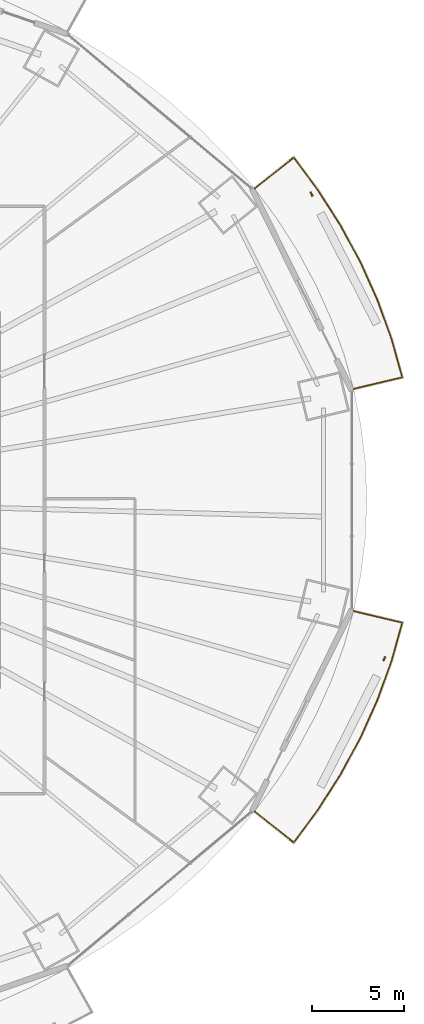
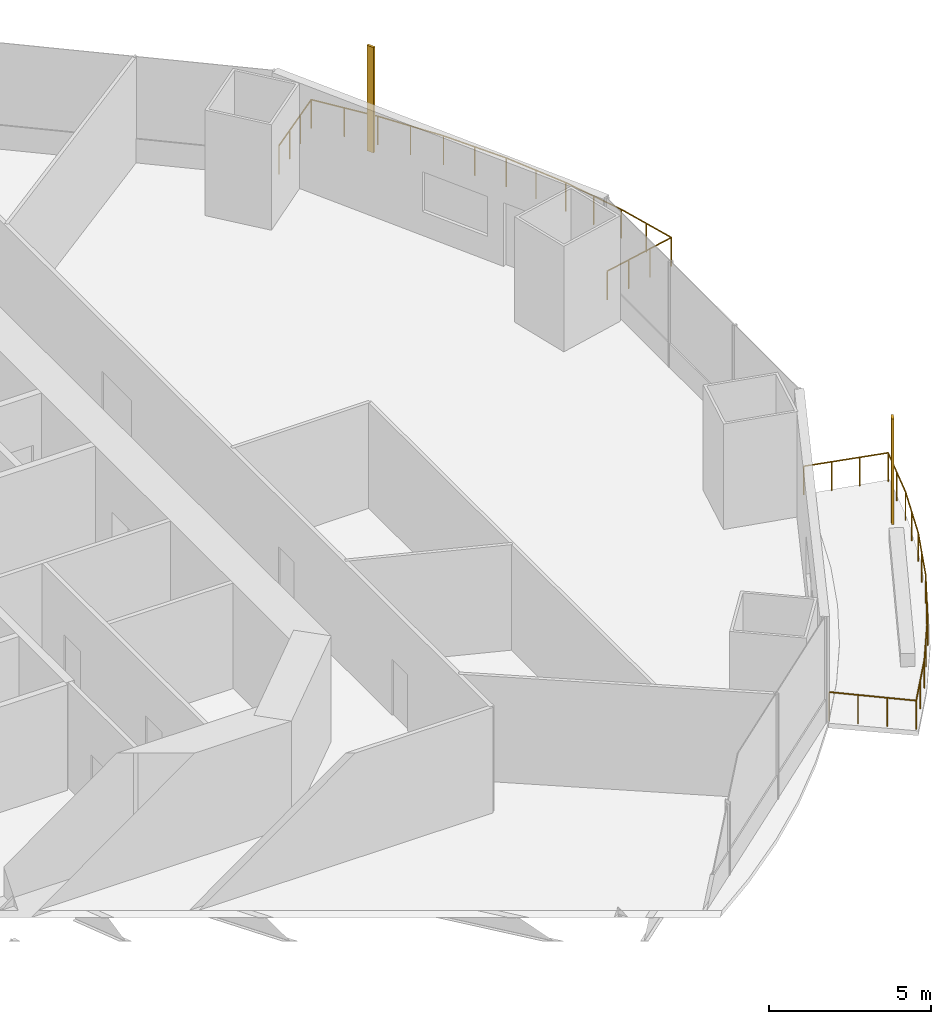
# One storey, part 22 of 23: 2 railings, 2 shading devices.
"""IFC4 building model written with IfcOpenShell, lengths in metres."""

from ifc_helpers import new_model, si_unit, direction, frame, origin, origin_2d, place, context, subcontext, project, spatial, rectangle, circle, extrude, material, material_profile, profile_set, type_object, element, save


model = new_model("IFC4")

# Units and contexts
model_context = context("Model", 3, precision=1e-05, world=origin(), true_north=direction((0.0, 1.0)))
body_context = subcontext(model_context, "Body", "Model", "MODEL_VIEW")
ifc_project = project(units=[si_unit("LENGTHUNIT", "METRE"), si_unit("AREAUNIT", "SQUARE_METRE"), si_unit("VOLUMEUNIT", "CUBIC_METRE"), si_unit("PLANEANGLEUNIT", "RADIAN"), si_unit("MASSUNIT", "GRAM", prefix="KILO")], contexts=[model_context])

# Site, building, storey
site_placement = place(None, origin())
site = spatial("IfcSite", under=ifc_project, at=site_placement, CompositionType="ELEMENT")
building_placement = place(site_placement, origin())
building = spatial("IfcBuilding", under=site, at=building_placement, Name="Marenthal Gate Tower", CompositionType="ELEMENT")
storey_placement = place(building_placement, frame((0.0, 0.0, 53.75)))
storey = spatial("IfcBuildingStorey", under=building, at=storey_placement, Name="L09", CompositionType="ELEMENT", Elevation=53.75)

# Railings
ifc_material_1 = material(Name="Stainless steel", Category="steel")
railing_type = type_object("IfcRailingType", Name="Balcony guard 1100", PredefinedType="GUARDRAIL", material=ifc_material_1)
railing_1_placement = place(storey_placement, frame((30.44677734375, 16.957275390625, 0.0)))
element("IfcRailing", 1, at=railing_1_placement, inside=storey, type_object=railing_type, Name="Balcony guard L09 bay 1", PredefinedType="GUARDRAIL", context=body_context, shape_type="SweptSolid", body=[
    extrude(circle(Radius=0.02392578125, at=origin_2d()), frame((0.0, 0.0, 1.076171875), z_axis=(0.782017214913, 0.623083029968, -0.014717790136), x_axis=(-0.623150524983, 0.782101926358, 0.0)), (0.0, 0.0, 1.0), 2.720458984375),
    extrude(circle(Radius=0.02392578125, at=origin_2d()), frame((2.12744140625, 1.695068359375, 1.0361328125), z_axis=(0.594837345743, -0.803846087326, 0.0), x_axis=(0.803846087326, 0.594837345743, 0.0)), (0.0, 0.0, 1.0), 2.22998046875),
    extrude(circle(Radius=0.02392578125, at=origin_2d()), frame((3.453857421875, -0.097412109375, 1.0361328125), z_axis=(0.537716445458, -0.843125746425, 0.0), x_axis=(0.843125746425, 0.537716445458, 0.0)), (0.0, 0.0, 1.0), 2.291015625),
    extrude(circle(Radius=0.02392578125, at=origin_2d()), frame((4.685791015625, -2.029052734375, 1.0361328125), z_axis=(0.475629312141, -0.879645813628, 0.0), x_axis=(0.879645813628, 0.475629312141, 0.0)), (0.0, 0.0, 1.0), 2.27392578125),
    extrude(circle(Radius=0.02392578125, at=origin_2d()), frame((5.767333984375, -4.029296875, 1.0361328125), z_axis=(0.409595910935, -0.912267060539, 0.0), x_axis=(0.912267060539, 0.409595910935, 0.0)), (0.0, 0.0, 1.0), 2.258544921875),
    extrude(circle(Radius=0.02392578125, at=origin_2d()), frame((6.6923828125, -6.089599609375, 1.0361328125), z_axis=(0.340363176703, -0.940294053977, 0.0), x_axis=(0.940294053977, 0.340363176703, 0.0)), (0.0, 0.0, 1.0), 2.2451171875),
    extrude(circle(Radius=0.02392578125, at=origin_2d()), frame((7.45654296875, -8.20068359375, 1.0361328125), z_axis=(0.269402906993, -0.963027556046, 0.0), x_axis=(0.963027556046, 0.269402906993, 0.0)), (0.0, 0.0, 1.0), 2.154052734375),
    extrude(circle(Radius=0.02392578125, at=origin_2d()), frame((8.036865234375, -10.275146484375, 1.0361328125), z_axis=(-0.972906523904, -0.230729884047, 0.014717892254), x_axis=(0.230754878041, -0.973011914758, 0.0)), (0.0, 0.0, 1.0), 2.720458984375),
    extrude(circle(Radius=0.02099609375, at=origin_2d()), origin(), (0.0, 0.0, 1.0), 1.052001953125),
    extrude(circle(Radius=0.02099609375, at=origin_2d()), frame((0.709228515625, 0.56494140625, -0.013427734375)), (0.0, 0.0, 1.0), 1.052001953125),
    extrude(circle(Radius=0.02099609375, at=origin_2d()), frame((1.418212890625, 1.130126953125, -0.026611328125)), (0.0, 0.0, 1.0), 1.052001953125),
    extrude(circle(Radius=0.02099609375, at=origin_2d()), frame((2.12744140625, 1.695068359375, -0.0400390625)), (0.0, 0.0, 1.0), 1.052001953125),
    extrude(circle(Radius=0.02099609375, at=origin_2d()), frame((2.79052734375, 0.798828125, -0.0400390625)), (0.0, 0.0, 1.0), 1.052001953125),
    extrude(circle(Radius=0.02099609375, at=origin_2d()), frame((3.453857421875, -0.097412109375, -0.0400390625)), (0.0, 0.0, 1.0), 1.052001953125),
    extrude(circle(Radius=0.02099609375, at=origin_2d()), frame((4.06982421875, -1.063232421875, -0.0400390625)), (0.0, 0.0, 1.0), 1.052001953125),
    extrude(circle(Radius=0.02099609375, at=origin_2d()), frame((4.685791015625, -2.029052734375, -0.0400390625)), (0.0, 0.0, 1.0), 1.052001953125),
    extrude(circle(Radius=0.02099609375, at=origin_2d()), frame((5.2265625, -3.029296875, -0.0400390625)), (0.0, 0.0, 1.0), 1.052001953125),
    extrude(circle(Radius=0.02099609375, at=origin_2d()), frame((5.767333984375, -4.029296875, -0.0400390625)), (0.0, 0.0, 1.0), 1.052001953125),
    extrude(circle(Radius=0.02099609375, at=origin_2d()), frame((6.22998046875, -5.0595703125, -0.0400390625)), (0.0, 0.0, 1.0), 1.052001953125),
    extrude(circle(Radius=0.02099609375, at=origin_2d()), frame((6.6923828125, -6.089599609375, -0.0400390625)), (0.0, 0.0, 1.0), 1.052001953125),
    extrude(circle(Radius=0.02099609375, at=origin_2d()), frame((7.074462890625, -7.14501953125, -0.0400390625)), (0.0, 0.0, 1.0), 1.052001953125),
    extrude(circle(Radius=0.02099609375, at=origin_2d()), frame((7.45654296875, -8.20068359375, -0.0400390625)), (0.0, 0.0, 1.0), 1.052001953125),
    extrude(circle(Radius=0.02099609375, at=origin_2d()), frame((7.74658203125, -9.23779296875, -0.0400390625)), (0.0, 0.0, 1.0), 1.052001953125),
    extrude(circle(Radius=0.02099609375, at=origin_2d()), frame((8.036865234375, -10.275146484375, -0.0400390625)), (0.0, 0.0, 1.0), 1.052001953125),
    extrude(circle(Radius=0.02099609375, at=origin_2d()), frame((7.154541015625, -10.484375, -0.026611328125)), (0.0, 0.0, 1.0), 1.052001953125),
    extrude(circle(Radius=0.02099609375, at=origin_2d()), frame((6.2724609375, -10.693603515625, -0.013427734375)), (0.0, 0.0, 1.0), 1.052001953125),
    extrude(circle(Radius=0.02099609375, at=origin_2d()), frame((5.39013671875, -10.90283203125, 0.0)), (0.0, 0.0, 1.0), 1.052001953125),
])
railing_2_placement = place(storey_placement, frame((35.8369140625, -6.054443359375, 0.0)))
element("IfcRailing", 2, at=railing_2_placement, inside=storey, type_object=railing_type, Name="Balcony guard L09 bay 15", PredefinedType="GUARDRAIL", context=body_context, shape_type="SweptSolid", body=[
    extrude(circle(Radius=0.02392578125, at=origin_2d()), frame((0.0, 0.0, 1.076171875), z_axis=(0.972906523904, -0.230729884047, -0.014717892254), x_axis=(0.230754878041, 0.973011914758, 0.0)), (0.0, 0.0, 1.0), 2.720458984375),
    extrude(circle(Radius=0.02392578125, at=origin_2d()), frame((2.646728515625, -0.627685546875, 1.0361328125), z_axis=(-0.269402906993, -0.963027556046, 0.0), x_axis=(0.963027556046, -0.269402906993, 0.0)), (0.0, 0.0, 1.0), 2.154052734375),
    extrude(circle(Radius=0.02392578125, at=origin_2d()), frame((2.06640625, -2.7021484375, 1.0361328125), z_axis=(-0.340363176703, -0.940294053977, 0.0), x_axis=(0.940294053977, -0.340363176703, 0.0)), (0.0, 0.0, 1.0), 2.2451171875),
    extrude(circle(Radius=0.02392578125, at=origin_2d()), frame((1.30224609375, -4.813232421875, 1.0361328125), z_axis=(-0.409595910935, -0.912267060539, 0.0), x_axis=(0.912267060539, -0.409595910935, 0.0)), (0.0, 0.0, 1.0), 2.258544921875),
    extrude(circle(Radius=0.02392578125, at=origin_2d()), frame((0.377197265625, -6.87353515625, 1.0361328125), z_axis=(-0.475629312141, -0.879645813628, 0.0), x_axis=(0.879645813628, -0.475629312141, 0.0)), (0.0, 0.0, 1.0), 2.27392578125),
    extrude(circle(Radius=0.02392578125, at=origin_2d()), frame((-0.704345703125, -8.873779296875, 1.0361328125), z_axis=(-0.537716445458, -0.843125746425, 0.0), x_axis=(0.843125746425, -0.537716445458, 0.0)), (0.0, 0.0, 1.0), 2.291015625),
    extrude(circle(Radius=0.02392578125, at=origin_2d()), frame((-1.936279296875, -10.805419921875, 1.0361328125), z_axis=(-0.594837345743, -0.803846087326, 0.0), x_axis=(0.803846087326, -0.594837345743, 0.0)), (0.0, 0.0, 1.0), 2.22998046875),
    extrude(circle(Radius=0.02392578125, at=origin_2d()), frame((-3.2626953125, -12.597900390625, 1.0361328125), z_axis=(-0.782017214913, 0.623083029968, 0.014717790136), x_axis=(-0.623150524983, -0.782101926358, 0.0)), (0.0, 0.0, 1.0), 2.720458984375),
    extrude(circle(Radius=0.02099609375, at=origin_2d()), origin(), (0.0, 0.0, 1.0), 1.052001953125),
    extrude(circle(Radius=0.02099609375, at=origin_2d()), frame((0.88232421875, -0.209228515625, -0.013427734375)), (0.0, 0.0, 1.0), 1.052001953125),
    extrude(circle(Radius=0.02099609375, at=origin_2d()), frame((1.764404296875, -0.41845703125, -0.026611328125)), (0.0, 0.0, 1.0), 1.052001953125),
    extrude(circle(Radius=0.02099609375, at=origin_2d()), frame((2.646728515625, -0.627685546875, -0.0400390625)), (0.0, 0.0, 1.0), 1.052001953125),
    extrude(circle(Radius=0.02099609375, at=origin_2d()), frame((2.3564453125, -1.6650390625, -0.0400390625)), (0.0, 0.0, 1.0), 1.052001953125),
    extrude(circle(Radius=0.02099609375, at=origin_2d()), frame((2.06640625, -2.7021484375, -0.0400390625)), (0.0, 0.0, 1.0), 1.052001953125),
    extrude(circle(Radius=0.02099609375, at=origin_2d()), frame((1.684326171875, -3.7578125, -0.0400390625)), (0.0, 0.0, 1.0), 1.052001953125),
    extrude(circle(Radius=0.02099609375, at=origin_2d()), frame((1.30224609375, -4.813232421875, -0.0400390625)), (0.0, 0.0, 1.0), 1.052001953125),
    extrude(circle(Radius=0.02099609375, at=origin_2d()), frame((0.83984375, -5.84326171875, -0.0400390625)), (0.0, 0.0, 1.0), 1.052001953125),
    extrude(circle(Radius=0.02099609375, at=origin_2d()), frame((0.377197265625, -6.87353515625, -0.0400390625)), (0.0, 0.0, 1.0), 1.052001953125),
    extrude(circle(Radius=0.02099609375, at=origin_2d()), frame((-0.16357421875, -7.87353515625, -0.0400390625)), (0.0, 0.0, 1.0), 1.052001953125),
    extrude(circle(Radius=0.02099609375, at=origin_2d()), frame((-0.704345703125, -8.873779296875, -0.0400390625)), (0.0, 0.0, 1.0), 1.052001953125),
    extrude(circle(Radius=0.02099609375, at=origin_2d()), frame((-1.3203125, -9.839599609375, -0.0400390625)), (0.0, 0.0, 1.0), 1.052001953125),
    extrude(circle(Radius=0.02099609375, at=origin_2d()), frame((-1.936279296875, -10.805419921875, -0.0400390625)), (0.0, 0.0, 1.0), 1.052001953125),
    extrude(circle(Radius=0.02099609375, at=origin_2d()), frame((-2.599609375, -11.70166015625, -0.0400390625)), (0.0, 0.0, 1.0), 1.052001953125),
    extrude(circle(Radius=0.02099609375, at=origin_2d()), frame((-3.2626953125, -12.597900390625, -0.0400390625)), (0.0, 0.0, 1.0), 1.052001953125),
    extrude(circle(Radius=0.02099609375, at=origin_2d()), frame((-3.971923828125, -12.032958984375, -0.026611328125)), (0.0, 0.0, 1.0), 1.052001953125),
    extrude(circle(Radius=0.02099609375, at=origin_2d()), frame((-4.680908203125, -11.4677734375, -0.013427734375)), (0.0, 0.0, 1.0), 1.052001953125),
    extrude(circle(Radius=0.02099609375, at=origin_2d()), frame((-5.39013671875, -10.90283203125, 0.0)), (0.0, 0.0, 1.0), 1.052001953125),
])

# Shading devices
ifc_material_2 = material(Name="Terracotta", Category="masonry")
ifc_material_profile = material_profile(ifc_material_2, rectangle(XDim=0.25, YDim=0.080078125, at=origin_2d()), Name="Terracotta baguette 250x80")
ifc_profile_set = profile_set([ifc_material_profile], Name="Terracotta")
shading_device_type = type_object("IfcShadingDeviceType", Name="Terracotta BAGUETTE SCREEN 250x80", PredefinedType="USERDEFINED", material=ifc_profile_set)
for number, where, z_axis, x_axis, name in (
    (3, (33.545654296875, 16.658935546875, -0.0400390625), (0.0, 0.0, 1.0), (-0.44305812807, 0.89649288628, 0.0), "Terracotta BAGUETTE L09 bay 1R"),
    (4, (37.507080078125, -8.643310546875, -0.0400390625), (0.0, 0.0, 1.0), (0.44305812807, 0.89649288628, 0.0), "Terracotta BAGUETTE L09 bay 15R"),
):
    element("IfcShadingDevice", number, at=place(storey_placement, frame(where, z_axis=z_axis, x_axis=x_axis)), inside=storey, type_object=shading_device_type, Name=name, ObjectType="BAGUETTE SCREEN", PredefinedType="USERDEFINED", context=body_context, shape_type="SweptSolid", body=[
        extrude(rectangle(XDim=0.25, YDim=0.080078125, at=origin_2d()), origin(), (0.0, 0.0, 1.0), 3.969970703125),
    ])

save(model, "model.ifc")
